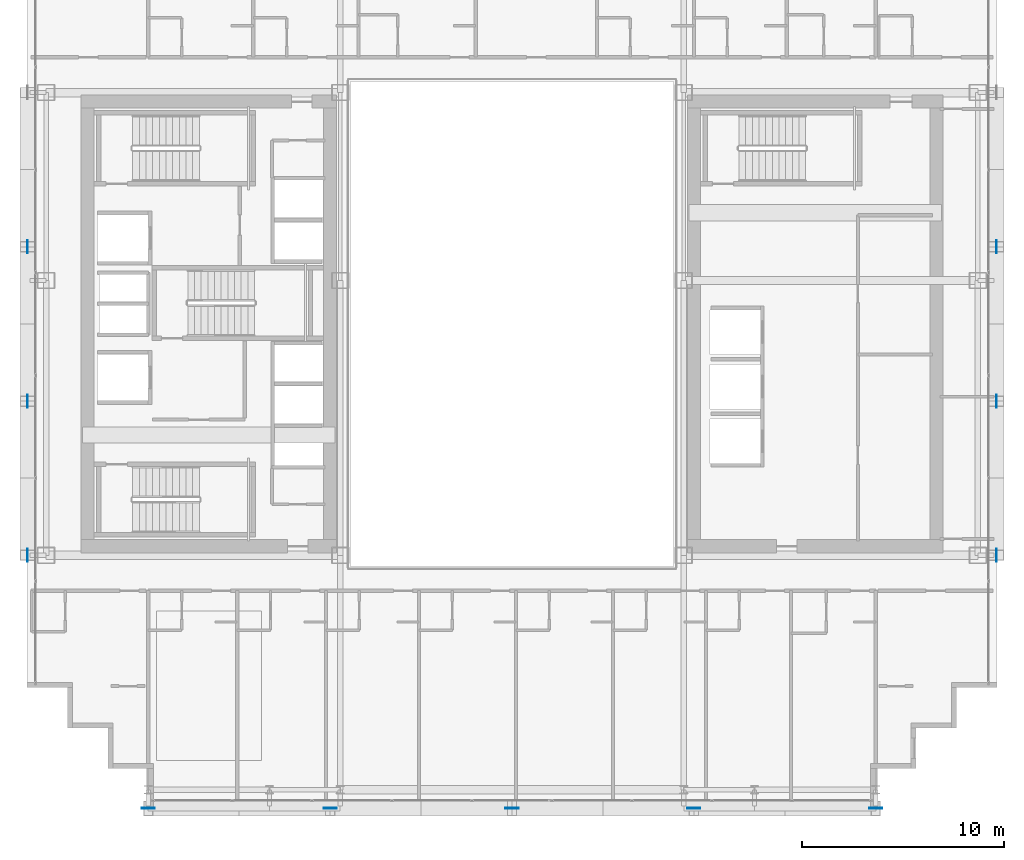
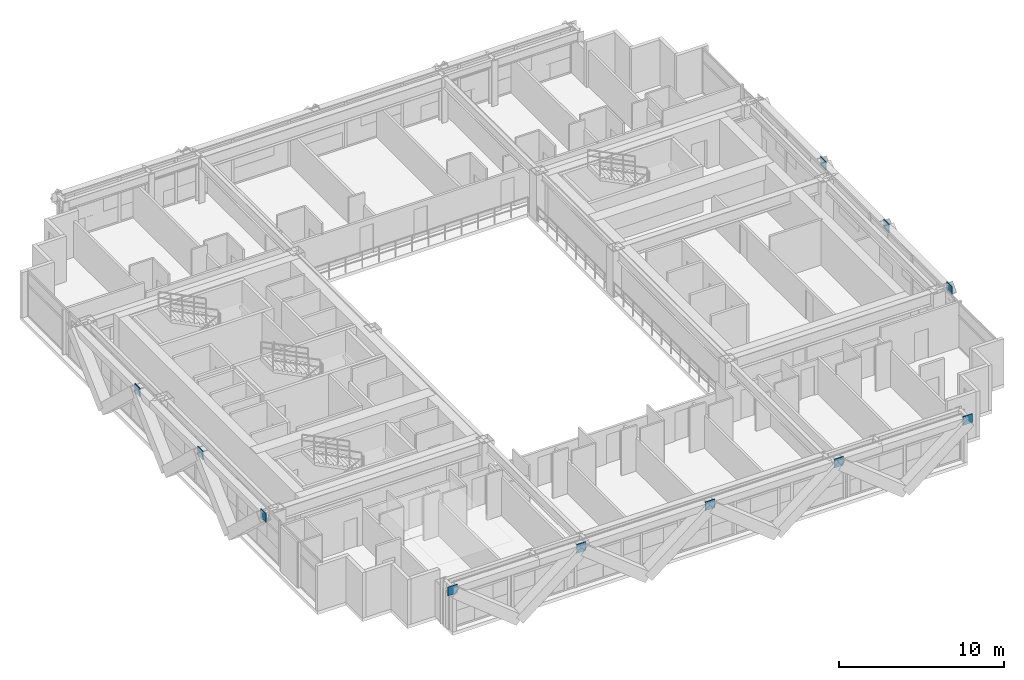
# One storey, part 25 of 35: 11 plates.
"""IFC4 building model written with IfcOpenShell, lengths in metres."""

import ifcopenshell
import ifcopenshell.guid

model = None  # the IFC model being written
_history = None  # IfcOwnerHistory: only IFC2X3 demands one
_inside = {}  # id of a spatial element -> (the spatial element, [elements in it])
_under = {}  # id of a project, library or spatial element -> (it, [spatial elements below it])
_declared = {}  # id of a project -> (the project, [libraries it declares])
_typed = {}  # id of a type object -> (the type object, [elements of that type])
_made_of = {}  # id of a material, layer set ... -> (it, [elements and type objects made of it])


def new_model(schema):
    """Start an empty IFC model of exactly this schema.

    Asked for "IFC4X3", IfcOpenShell would pick the latest addendum, in which some entities
    have other attributes; the version numbers below select the first issue.
    IFC2X3 requires an IfcOwnerHistory on every rooted entity: one is made here for all.
    """
    global model, _history
    if schema == "IFC4X3":
        model = ifcopenshell.file(schema_version=(4, 3, 0, 0))
    else:
        model = ifcopenshell.file(schema=schema)
    _inside.clear()
    _under.clear()
    _declared.clear()
    _typed.clear()
    _made_of.clear()
    _history = None
    if model.schema == "IFC2X3":
        org = make("IfcOrganization", Name="unknown")
        user = make(
            "IfcPersonAndOrganization",
            ThePerson=make("IfcPerson", FamilyName="unknown"),
            TheOrganization=org,
        )
        app = make(
            "IfcApplication",
            ApplicationDeveloper=org,
            Version="unknown",
            ApplicationFullName="unknown",
            ApplicationIdentifier="unknown",
        )
        _history = make(
            "IfcOwnerHistory",
            OwningUser=user,
            OwningApplication=app,
            ChangeAction="ADDED",
            CreationDate=0,
        )
    return model


def make(cls, **values):
    """One entity of the class cls with the attributes given. An attribute that is None is left unset."""
    return model.create_entity(
        cls, **{name: value for name, value in values.items() if value is not None}
    )


def rooted(cls, **values):
    """An entity with a GlobalId (a new one), such as an element, a storey or a relation."""
    return make(cls, GlobalId=ifcopenshell.guid.new(), OwnerHistory=_history, **values)


def si_unit(unit_type, name, prefix=None):
    """IfcSIUnit, for example si_unit("LENGTHUNIT", "METRE", prefix="MILLI")."""
    return make("IfcSIUnit", UnitType=unit_type, Prefix=prefix, Name=name)


def assignment(units):
    """IfcUnitAssignment: the units of a project."""
    return None if units is None else make("IfcUnitAssignment", Units=units)


def point(xyz):
    """IfcCartesianPoint."""
    return None if xyz is None else make("IfcCartesianPoint", Coordinates=xyz)


def direction(xyz):
    """IfcDirection."""
    return None if xyz is None else make("IfcDirection", DirectionRatios=xyz)


def frame(location, z_axis=None, x_axis=None):
    """IfcAxis2Placement3D, a coordinate frame: its origin and axes. An axis left out is left unset."""
    return make(
        "IfcAxis2Placement3D",
        Location=point(location),
        Axis=direction(z_axis),
        RefDirection=direction(x_axis),
    )


def frame_2d(location, x_axis=None):
    """IfcAxis2Placement2D, a coordinate frame in the plane: its origin and x axis."""
    return make(
        "IfcAxis2Placement2D", Location=point(location), RefDirection=direction(x_axis)
    )


def origin():
    """The frame at (0, 0, 0) with its axes left unset."""
    return frame((0.0, 0.0, 0.0))


def origin_2d():
    """The frame at (0, 0) in the plane with its x axis left unset."""
    return frame_2d((0.0, 0.0))


def place(relative_to, where):
    """IfcLocalPlacement: puts the frame where relative to a parent placement (None: the world)."""
    return make(
        "IfcLocalPlacement", PlacementRelTo=relative_to, RelativePlacement=where
    )


def context(
    kind, dimensions, precision=None, world=None, true_north=None, identifier=None
):
    """IfcGeometricRepresentationContext, for example the 3D "Model" context."""
    return make(
        "IfcGeometricRepresentationContext",
        ContextIdentifier=identifier,
        ContextType=kind,
        CoordinateSpaceDimension=dimensions,
        Precision=precision,
        WorldCoordinateSystem=world,
        TrueNorth=true_north,
    )


def subcontext(parent, identifier, kind, view, scale=None):
    """IfcGeometricRepresentationSubContext, for example "Body" below "Model"."""
    return make(
        "IfcGeometricRepresentationSubContext",
        ContextIdentifier=identifier,
        ContextType=kind,
        ParentContext=parent,
        TargetScale=scale,
        TargetView=view,
    )


def project(units=None, contexts=None):
    """IfcProject with its units and contexts."""
    return rooted(
        "IfcProject",
        Name="project",
        RepresentationContexts=contexts,
        UnitsInContext=assignment(units),
    )


def spatial(cls, under=None, at=None, **own):
    """A site, building, storey or space (cls), placed at a placement, below another one or the project."""
    s = rooted(cls, ObjectPlacement=at, **own)
    if under is not None:
        _under.setdefault(under.id(), (under, []))[1].append(s)
    return s


def profile(cls, at=None, kind="AREA", **sizes):
    """A parametric profile (cls). Its sizes go by their IFC names, for example OverallWidth=200.0."""
    return make(cls, ProfileType=kind, Position=at, **sizes)


def rectangle(**sizes):
    """IfcRectangleProfileDef."""
    return profile("IfcRectangleProfileDef", **sizes)


def extrude(swept, where, along, depth):
    """IfcExtrudedAreaSolid: the profile swept, set in the frame where, extruded along a direction by depth."""
    return make(
        "IfcExtrudedAreaSolid",
        SweptArea=swept,
        Position=where,
        ExtrudedDirection=direction(along),
        Depth=depth,
    )


def shape(context_of_items, identifier, shape_type, items):
    """IfcShapeRepresentation: the items that make up one representation, for example the "Body"."""
    return make(
        "IfcShapeRepresentation",
        ContextOfItems=context_of_items,
        RepresentationIdentifier=identifier,
        RepresentationType=shape_type,
        Items=items,
    )


def source(mapping_origin, context_of_items, identifier, shape_type, items):
    """IfcRepresentationMap: a shape defined once, which mapped items show again and again."""
    return make(
        "IfcRepresentationMap",
        MappingOrigin=mapping_origin,
        MappedRepresentation=shape(context_of_items, identifier, shape_type, items),
    )


def transform(
    local_origin,
    x_axis=None,
    y_axis=None,
    z_axis=None,
    scale=None,
    scale2=None,
    scale3=None,
    uniform=True,
):
    """IfcCartesianTransformationOperator3D, or its non-uniform kind. x_axis, y_axis, z_axis: its Axis1, 2, 3."""
    if uniform:
        return make(
            "IfcCartesianTransformationOperator3D",
            Axis1=direction(x_axis),
            Axis2=direction(y_axis),
            LocalOrigin=point(local_origin),
            Scale=scale,
            Axis3=direction(z_axis),
        )
    return make(
        "IfcCartesianTransformationOperator3DnonUniform",
        Axis1=direction(x_axis),
        Axis2=direction(y_axis),
        LocalOrigin=point(local_origin),
        Scale=scale,
        Axis3=direction(z_axis),
        Scale2=scale2,
        Scale3=scale3,
    )


def mapped(mapping_source, mapping_target):
    """IfcMappedItem: shows the shape of a source again, moved by a transform."""
    return make(
        "IfcMappedItem", MappingSource=mapping_source, MappingTarget=mapping_target
    )


def material(Name=None, Category=None):
    """IfcMaterial."""
    return make("IfcMaterial", Name=Name, Category=Category)


def layer(
    of_material, thickness, ventilated=None, Name=None, Category=None, Priority=None
):
    """IfcMaterialLayer: one layer of a wall or slab, of a material (None: an air gap)."""
    return make(
        "IfcMaterialLayer",
        Material=of_material,
        LayerThickness=thickness,
        IsVentilated=ventilated,
        Name=Name,
        Category=Category,
        Priority=Priority,
    )


def layer_set(layers, Name=None):
    """IfcMaterialLayerSet."""
    return make("IfcMaterialLayerSet", MaterialLayers=layers, LayerSetName=Name)


def made_of(thing, what):
    """Note that an element or type object is made of a material, layer set ...; save() writes the relation."""
    if what is not None:
        _made_of.setdefault(what.id(), (what, []))[1].append(thing)
    return thing


def type_object(cls, material=None, **own):
    """A type object (cls), such as IfcWallType, which elements share."""
    return made_of(rooted(cls, **own), material)


def element(
    cls,
    number,
    at=None,
    inside=None,
    cuts=None,
    type_object=None,
    material=None,
    context=None,
    identifier="Body",
    shape_type=None,
    held_by="IfcProductDefinitionShape",
    body=None,
    shapes=None,
    **own,
):
    """One element of the class cls, such as IfcWall. Its Tag is "e" and its number.

    at: its placement. inside: the storey or other place that contains it. cuts: it is an
    opening in that element (IfcRelVoidsElement). A single representation is given by context,
    identifier, shape_type and body (its items); several are given by shapes. held_by: the class
    of the entity that holds the representations. save() writes the other relations.
    """
    e = rooted(cls, Tag="e%d" % number, ObjectPlacement=at, **own)
    if body is not None:
        shapes = [shape(context, identifier, shape_type, body)]
    if shapes is not None:
        e.Representation = make(held_by, Representations=shapes)
    if inside is not None:
        _inside.setdefault(inside.id(), (inside, []))[1].append(e)
    if cuts is not None:
        rooted(
            "IfcRelVoidsElement", RelatingBuildingElement=cuts, RelatedOpeningElement=e
        )
    if type_object is not None:
        _typed.setdefault(type_object.id(), (type_object, []))[1].append(e)
    return made_of(e, material)


def aggregate(whole, parts):
    """IfcRelAggregates: a whole, such as a stair, and the parts it consists of."""
    return rooted("IfcRelAggregates", RelatingObject=whole, RelatedObjects=parts)


def save(model, path):
    """Write the relations noted so far, then the file.

    IfcRelAggregates (storeys below a building ...), IfcRelContainedInSpatialStructure (elements
    in a storey), IfcRelDefinesByType, IfcRelAssociatesMaterial and IfcRelDeclares: one each for
    every whole, place, type object, material and project.
    """
    for whole, parts in _under.values():
        aggregate(whole, parts)
    for where, things in _inside.values():
        rooted(
            "IfcRelContainedInSpatialStructure",
            RelatedElements=things,
            RelatingStructure=where,
        )
    for kind, things in _typed.values():
        rooted("IfcRelDefinesByType", RelatedObjects=things, RelatingType=kind)
    for what, things in _made_of.values():
        rooted("IfcRelAssociatesMaterial", RelatedObjects=things, RelatingMaterial=what)
    for by, libraries in _declared.values():
        rooted("IfcRelDeclares", RelatingContext=by, RelatedDefinitions=libraries)
    model.write(path)


model = new_model("IFC4")

# Units and contexts
model_context = context("Model", 3, precision=1e-05, world=origin(), true_north=direction((0.0, 1.0)))
body_context = subcontext(model_context, "Body", "Model", "MODEL_VIEW")
ifc_project = project(units=[si_unit("LENGTHUNIT", "METRE"), si_unit("AREAUNIT", "SQUARE_METRE"), si_unit("VOLUMEUNIT", "CUBIC_METRE"), si_unit("PLANEANGLEUNIT", "RADIAN"), si_unit("MASSUNIT", "GRAM", prefix="KILO")], contexts=[model_context])

# Site, building, storey
site_placement = place(None, origin())
site = spatial("IfcSite", under=ifc_project, at=site_placement, CompositionType="ELEMENT")
building_placement = place(site_placement, origin())
building = spatial("IfcBuilding", under=site, at=building_placement, Name="Ocotamira Hotel", CompositionType="ELEMENT")
storey_placement = place(building_placement, frame((0.0, 0.0, 100.800048828125)))
storey = spatial("IfcBuildingStorey", under=building, at=storey_placement, Name="L24", CompositionType="ELEMENT", Elevation=100.800048828125)

# Plates
ifc_material = material(Name="Pale-metal coated steel ASTM A572 Grade 50", Category="steel")
ifc_layer = layer(ifc_material, 0.0400390625)
ifc_layer_set = layer_set([ifc_layer], Name="Pale-metal coated steel ASTM A572 Grade 50")
plate_type = type_object("IfcPlateType", Name="PLT-GUSSET-40", PredefinedType="SHEET", material=ifc_layer_set)
shared_shape_1 = source(origin(), body_context, "Body", "SweptSolid", [
    extrude(rectangle(XDim=0.64990234375, YDim=0.0400390625, at=origin_2d()), origin(), (0.0, 0.0, 1.0), 0.64990234375),
])
for number, where, z_axis, x_axis, name in (
    (1, (14.0, 2.030029296875, 2.784912109375), (0.0, 0.0, 1.0), (-1.0, 0.0, 0.0), "L24 Exoskeleton Diagrid S0.1 End Gusset B"),
    (2, (23.0, 2.030029296875, 2.784912109375), (0.0, 0.0, 1.0), (1.0, 0.0, 0.0), "L24 Exoskeleton Diagrid S0.2 End Gusset B"),
    (3, (32.0, 2.030029296875, 2.784912109375), (0.0, 0.0, 1.0), (1.0, 0.0, 0.0), "L24 Exoskeleton Diagrid S1.2 End Gusset B"),
    (4, (41.0, 2.030029296875, 2.784912109375), (0.0, 0.0, 1.0), (1.0, 0.0, 0.0), "L24 Exoskeleton Diagrid S2.2 End Gusset B"),
    (5, (50.0, 2.030029296875, 2.784912109375), (0.0, 0.0, 1.0), (1.0, 0.0, 0.0), "L24 Exoskeleton Diagrid S3.2 End Gusset B"),
):
    element("IfcPlate", number, at=place(storey_placement, frame(where, z_axis=z_axis, x_axis=x_axis)), inside=storey, type_object=plate_type, Name=name, PredefinedType="SHEET", context=body_context, shape_type="MappedRepresentation", body=[
        mapped(shared_shape_1, transform((0.0, 0.0, 0.0), scale=1.0)),
    ])
shared_shape_2 = source(origin(), body_context, "Body", "SweptSolid", [
    extrude(rectangle(XDim=0.0400390625, YDim=0.64990234375, at=origin_2d()), origin(), (0.0, 0.0, 1.0), 0.64990234375),
])
for number, where, z_axis, x_axis, name in (
    (6, (8.030029296875, 14.550048828125, 2.784912109375), (0.0, 0.0, 1.0), (1.0, 0.0, 0.0), "L24 Exoskeleton Diagrid W0.1 End Gusset B"),
    (7, (8.030029296875, 22.183349609375, 2.784912109375), (0.0, 0.0, 1.0), (1.0, 0.0, 0.0), "L24 Exoskeleton Diagrid W0.2 End Gusset B"),
    (8, (8.030029296875, 29.816650390625, 2.784912109375), (0.0, 0.0, 1.0), (1.0, 0.0, 0.0), "L24 Exoskeleton Diagrid W1.2 End Gusset B"),
    (9, (55.969970703125, 14.550048828125, 2.784912109375), (0.0, 0.0, 1.0), (1.0, 0.0, 0.0), "L24 Exoskeleton Diagrid E0.1 End Gusset B"),
    (10, (55.969970703125, 22.183349609375, 2.784912109375), (0.0, 0.0, 1.0), (1.0, 0.0, 0.0), "L24 Exoskeleton Diagrid E0.2 End Gusset B"),
    (11, (55.969970703125, 29.816650390625, 2.784912109375), (0.0, 0.0, 1.0), (1.0, 0.0, 0.0), "L24 Exoskeleton Diagrid E1.2 End Gusset B"),
):
    element("IfcPlate", number, at=place(storey_placement, frame(where, z_axis=z_axis, x_axis=x_axis)), inside=storey, type_object=plate_type, Name=name, PredefinedType="SHEET", context=body_context, shape_type="MappedRepresentation", body=[
        mapped(shared_shape_2, transform((0.0, 0.0, 0.0), scale=1.0)),
    ])

save(model, "model.ifc")
